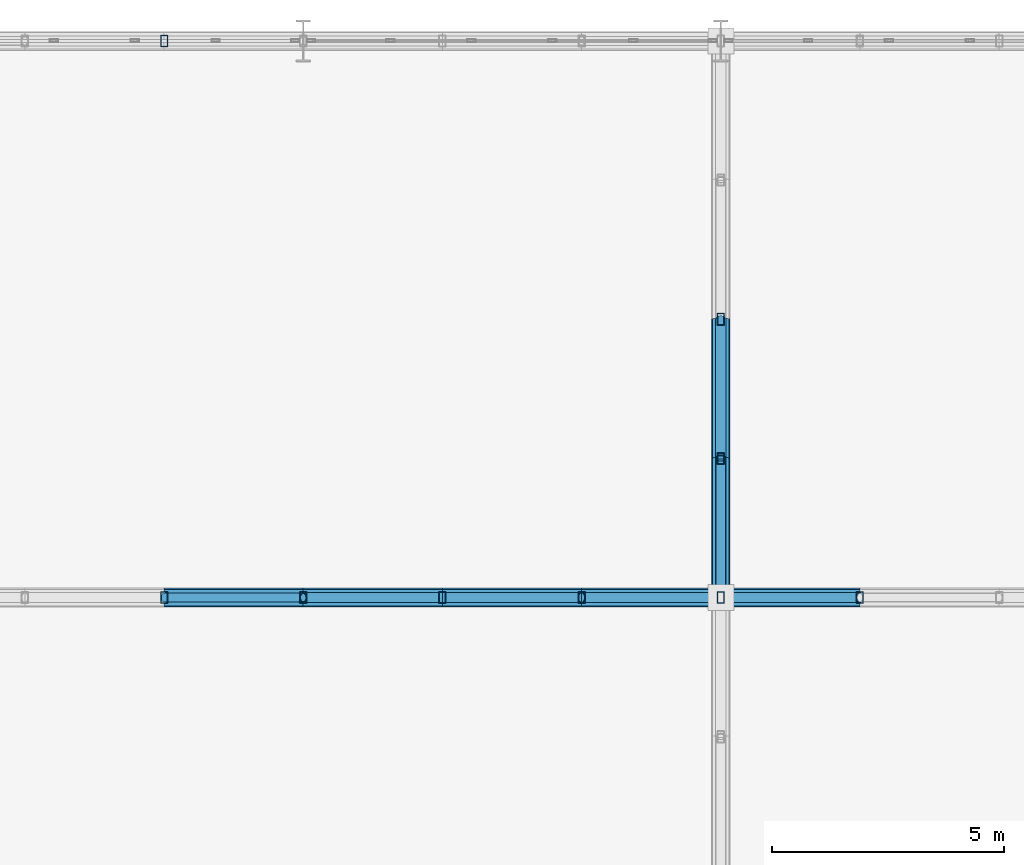
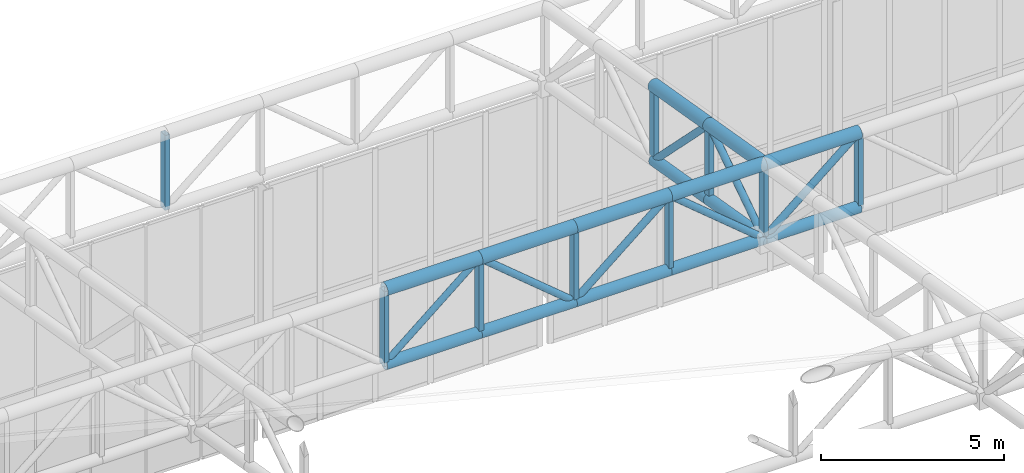
# One storey, part 132 of 239: 30 members.
"""IFC4 building model written with IfcOpenShell, lengths in metres."""

from ifc_helpers import new_model, si_unit, direction, frame, origin, origin_2d, place, context, subcontext, project, spatial, hollow_rectangle, hollow_circle, extrude, material, material_profile, profile_set, type_object, element, save


model = new_model("IFC4")

# Units and contexts
model_context = context("Model", 3, precision=1e-05, world=origin(), true_north=direction((0.0, 1.0)))
body_context = subcontext(model_context, "Body", "Model", "MODEL_VIEW")
ifc_project = project(units=[si_unit("LENGTHUNIT", "METRE"), si_unit("AREAUNIT", "SQUARE_METRE"), si_unit("VOLUMEUNIT", "CUBIC_METRE"), si_unit("PLANEANGLEUNIT", "RADIAN"), si_unit("MASSUNIT", "GRAM", prefix="KILO")], contexts=[model_context])

# Site, building, storey
site_placement = place(None, origin())
site = spatial("IfcSite", under=ifc_project, at=site_placement, CompositionType="ELEMENT")
building_placement = place(site_placement, origin())
building = spatial("IfcBuilding", under=site, at=building_placement, Name="Kaldris Quays Convention Centre", CompositionType="ELEMENT")
storey_placement = place(building_placement, frame((0.0, 0.0, 11.39990234375)))
storey = spatial("IfcBuildingStorey", under=building, at=storey_placement, Name="L02", CompositionType="ELEMENT", Elevation=11.39990234375)

# Members
ifc_material = material(Name="Steel S355J2H", Category="steel")
ifc_material_profile_1 = material_profile(ifc_material, hollow_circle(Radius=0.203125, WallThickness=0.01611328125, at=origin_2d()), Name="CHS 406.4x16")
ifc_profile_set_1 = profile_set([ifc_material_profile_1], Name="Steel S355J2H")
member_type_1 = type_object("IfcMemberType", Name="STRUCTURAL MEMBER SC01", PredefinedType="CHORD", material=ifc_profile_set_1)
for number, where, z_axis, x_axis, name in (
    (1, (116.0, 128.0, 11.72900390625), (1.0, 0.0, 0.0), (0.0, 1.0, 0.0), "SF-V1 Top Chord X 285"),
    (2, (119.0, 128.0, 11.72900390625), (1.0, 0.0, 0.0), (0.0, 1.0, 0.0), "SF-V1 Top Chord X 286"),
    (3, (122.0, 128.0, 11.72900390625), (1.0, 0.0, 0.0), (0.0, 1.0, 0.0), "SF-V1 Top Chord X 287"),
    (4, (125.0, 128.0, 11.72900390625), (1.0, 0.0, 0.0), (0.0, 1.0, 0.0), "SF-V1 Top Chord X 288"),
    (5, (128.0, 128.0, 11.72900390625), (1.0, 0.0, 0.0), (0.0, 1.0, 0.0), "SF-V1 Top Chord X 289"),
):
    element("IfcMember", number, at=place(storey_placement, frame(where, z_axis=z_axis, x_axis=x_axis)), inside=storey, type_object=member_type_1, Name=name, PredefinedType="CHORD", context=body_context, shape_type="SweptSolid", body=[
        extrude(hollow_circle(Radius=0.203125, WallThickness=0.01611328125, at=origin_2d()), origin(), (0.0, 0.0, 1.0), 3.0),
    ])
for number, where, z_axis, x_axis, name in (
    (6, (128.0, 128.0, 11.72900390625), (0.0, 0.98562912375, -0.168923741424), (-1.0, 0.0, 0.0), "SF-V1 Top Chord Y 529"),
    (7, (128.0, 131.0, 11.21484375), (0.0, 0.985615766076, -0.169001661712), (-1.0, 0.0, 0.0), "SF-V1 Top Chord Y 530"),
):
    element("IfcMember", number, at=place(storey_placement, frame(where, z_axis=z_axis, x_axis=x_axis)), inside=storey, type_object=member_type_1, Name=name, PredefinedType="CHORD", context=body_context, shape_type="SweptSolid", body=[
        extrude(hollow_circle(Radius=0.203125, WallThickness=0.01611328125, at=origin_2d()), origin(), (0.0, 0.0, 1.0), 3.043701171875),
    ])
ifc_material_profile_2 = material_profile(ifc_material, hollow_circle(Radius=0.177734375, WallThickness=0.01611328125, at=origin_2d()), Name="CHS 355.6x16")
ifc_profile_set_2 = profile_set([ifc_material_profile_2], Name="Steel S355J2H")
member_type_2 = type_object("IfcMemberType", Name="STRUCTURAL MEMBER SC02", PredefinedType="CHORD", material=ifc_profile_set_2)
for number, where, z_axis, x_axis, name in (
    (8, (116.0, 128.0, 9.22900390625), (1.0, 0.0, 0.0), (0.0, 1.0, 0.0), "SF-V1 Bottom Chord X 285"),
    (9, (119.0, 128.0, 9.22900390625), (1.0, 0.0, 0.0), (0.0, 1.0, 0.0), "SF-V1 Bottom Chord X 286"),
    (10, (122.0, 128.0, 9.22900390625), (1.0, 0.0, 0.0), (0.0, 1.0, 0.0), "SF-V1 Bottom Chord X 287"),
    (11, (125.0, 128.0, 9.22900390625), (1.0, 0.0, 0.0), (0.0, 1.0, 0.0), "SF-V1 Bottom Chord X 288"),
    (12, (128.0, 128.0, 9.22900390625), (1.0, 0.0, 0.0), (0.0, 1.0, 0.0), "SF-V1 Bottom Chord X 289"),
):
    element("IfcMember", number, at=place(storey_placement, frame(where, z_axis=z_axis, x_axis=x_axis)), inside=storey, type_object=member_type_2, Name=name, PredefinedType="CHORD", context=body_context, shape_type="SweptSolid", body=[
        extrude(hollow_circle(Radius=0.177734375, WallThickness=0.01611328125, at=origin_2d()), origin(), (0.0, 0.0, 1.0), 3.0),
    ])
for number, where, z_axis, x_axis, name in (
    (13, (128.0, 128.0, 9.22900390625), (0.0, 0.98562912375, -0.168923741424), (-1.0, 0.0, 0.0), "SF-V1 Bottom Chord Y 529"),
    (14, (128.0, 131.0, 8.71484375), (0.0, 0.985615766076, -0.169001661712), (-1.0, 0.0, 0.0), "SF-V1 Bottom Chord Y 530"),
):
    element("IfcMember", number, at=place(storey_placement, frame(where, z_axis=z_axis, x_axis=x_axis)), inside=storey, type_object=member_type_2, Name=name, PredefinedType="CHORD", context=body_context, shape_type="SweptSolid", body=[
        extrude(hollow_circle(Radius=0.177734375, WallThickness=0.01611328125, at=origin_2d()), origin(), (0.0, 0.0, 1.0), 3.043701171875),
    ])
ifc_material_profile_3 = material_profile(ifc_material, hollow_circle(Radius=0.109619140625, WallThickness=0.010009765625, at=origin_2d()), Name="CHS 219.1x10")
ifc_profile_set_3 = profile_set([ifc_material_profile_3], Name="Steel S355J2H")
member_type_3 = type_object("IfcMemberType", Name="STRUCTURAL MEMBER SWB1", PredefinedType="BRACE", material=ifc_profile_set_3)
for number, where, z_axis, x_axis, name in (
    (15, (122.0, 128.0, 9.22900390625), (-0.768221279597, 0.0, 0.640184399664), (0.0, -1.0, 0.0), "SF-V1 Web Diagonal X 286"),
    (16, (122.0, 128.0, 9.22900390625), (0.768221279597, 0.0, 0.640184399664), (0.0, 1.0, 0.0), "SF-V1 Web Diagonal X 287"),
    (17, (128.0, 128.0, 9.22900390625), (-0.768221279597, 0.0, 0.640184399664), (0.0, -1.0, 0.0), "SF-V1 Web Diagonal X 288"),
    (18, (128.0, 128.0, 9.22900390625), (0.768221279597, 0.0, 0.640184399664), (0.0, 1.0, 0.0), "SF-V1 Web Diagonal X 289"),
):
    element("IfcMember", number, at=place(storey_placement, frame(where, z_axis=z_axis, x_axis=x_axis)), inside=storey, type_object=member_type_3, Name=name, PredefinedType="BRACE", context=body_context, shape_type="SweptSolid", body=[
        extrude(hollow_circle(Radius=0.109619140625, WallThickness=0.010009765625, at=origin_2d()), origin(), (0.0, 0.0, 1.0), 3.905029296875),
    ])
member_1_placement = place(storey_placement, frame((128.0, 128.0, 9.22900390625), z_axis=(0.0, 0.833862389808, 0.551972385962), x_axis=(-1.0, 0.0, 0.0)))
element("IfcMember", 19, at=member_1_placement, inside=storey, type_object=member_type_3, Name="SF-V1 Web Diagonal Y 529", PredefinedType="BRACE", context=body_context, shape_type="SweptSolid", body=[
    extrude(hollow_circle(Radius=0.109619140625, WallThickness=0.010009765625, at=origin_2d()), origin(), (0.0, 0.0, 1.0), 3.59765625),
])
member_2_placement = place(storey_placement, frame((128.0, 134.0, 8.200439453125), z_axis=(0.0, -0.705411261057, 0.708798245465), x_axis=(1.0, 0.0, 0.0)))
element("IfcMember", 20, at=member_2_placement, inside=storey, type_object=member_type_3, Name="SF-V1 Web Diagonal Y 530", PredefinedType="BRACE", context=body_context, shape_type="SweptSolid", body=[
    extrude(hollow_circle(Radius=0.109619140625, WallThickness=0.010009765625, at=origin_2d()), origin(), (0.0, 0.0, 1.0), 4.2529296875),
])
ifc_material_profile_4 = material_profile(ifc_material, hollow_circle(Radius=0.096923828125, WallThickness=0.008056640625, at=origin_2d()), Name="CHS 193.7x8")
ifc_profile_set_4 = profile_set([ifc_material_profile_4], Name="Steel S355J2H")
member_type_4 = type_object("IfcMemberType", Name="STRUCTURAL MEMBER SWB3", PredefinedType="BRACE", material=ifc_profile_set_4)
member_3_placement = place(storey_placement, frame((116.0, 128.0, 9.22900390625), z_axis=(0.768221279597, 0.0, 0.640184399664), x_axis=(0.0, 1.0, 0.0)))
element("IfcMember", 21, at=member_3_placement, inside=storey, type_object=member_type_4, Name="SF-V1 Web Diagonal X 285", PredefinedType="BRACE", context=body_context, shape_type="SweptSolid", body=[
    extrude(hollow_circle(Radius=0.096923828125, WallThickness=0.008056640625, at=origin_2d()), origin(), (0.0, 0.0, 1.0), 3.905029296875),
])
ifc_material_profile_5 = material_profile(ifc_material, hollow_rectangle(XDim=0.14990234375, YDim=0.25, WallThickness=0.010009765625, at=origin_2d()), Name="RHS 250x150x10")
ifc_profile_set_5 = profile_set([ifc_material_profile_5], Name="Steel S355J2H")
member_type_5 = type_object("IfcMemberType", Name="STRUCTURAL MEMBER TTV1", PredefinedType="POST", material=ifc_profile_set_5)
for number, where, z_axis, x_axis, name in (
    (22, (116.0, 128.0, 9.22900390625), (0.0, 0.0, 1.0), (1.0, 0.0, 0.0), "SF-V1 Space-Frame Post 389"),
    (23, (116.0, 140.0, 7.171875), (0.0, 0.0, 1.0), (1.0, 0.0, 0.0), "SF-V1 Space-Frame Post 390"),
    (24, (119.0, 128.0, 9.22900390625), (0.0, 0.0, 1.0), (1.0, 0.0, 0.0), "SF-V1 Space-Frame Post 397"),
    (25, (122.0, 128.0, 9.22900390625), (0.0, 0.0, 1.0), (1.0, 0.0, 0.0), "SF-V1 Space-Frame Post 405"),
    (26, (125.0, 128.0, 9.22900390625), (0.0, 0.0, 1.0), (1.0, 0.0, 0.0), "SF-V1 Space-Frame Post 413"),
    (27, (128.0, 128.0, 9.22900390625), (0.0, 0.0, 1.0), (1.0, 0.0, 0.0), "SF-V1 Space-Frame Post 439"),
    (28, (128.0, 131.0, 8.71484375), (0.0, 0.0, 1.0), (1.0, 0.0, 0.0), "SF-V1 Space-Frame Post 440"),
    (29, (128.0, 134.0, 8.200439453125), (0.0, 0.0, 1.0), (1.0, 0.0, 0.0), "SF-V1 Space-Frame Post 441"),
    (30, (131.0, 128.0, 9.22900390625), (0.0, 0.0, 1.0), (1.0, 0.0, 0.0), "SF-V1 Space-Frame Post 450"),
):
    element("IfcMember", number, at=place(storey_placement, frame(where, z_axis=z_axis, x_axis=x_axis)), inside=storey, type_object=member_type_5, Name=name, PredefinedType="POST", context=body_context, shape_type="SweptSolid", body=[
        extrude(hollow_rectangle(XDim=0.14990234375, YDim=0.25, WallThickness=0.010009765625, at=origin_2d()), origin(), (0.0, 0.0, 1.0), 2.5),
    ])

save(model, "model.ifc")
